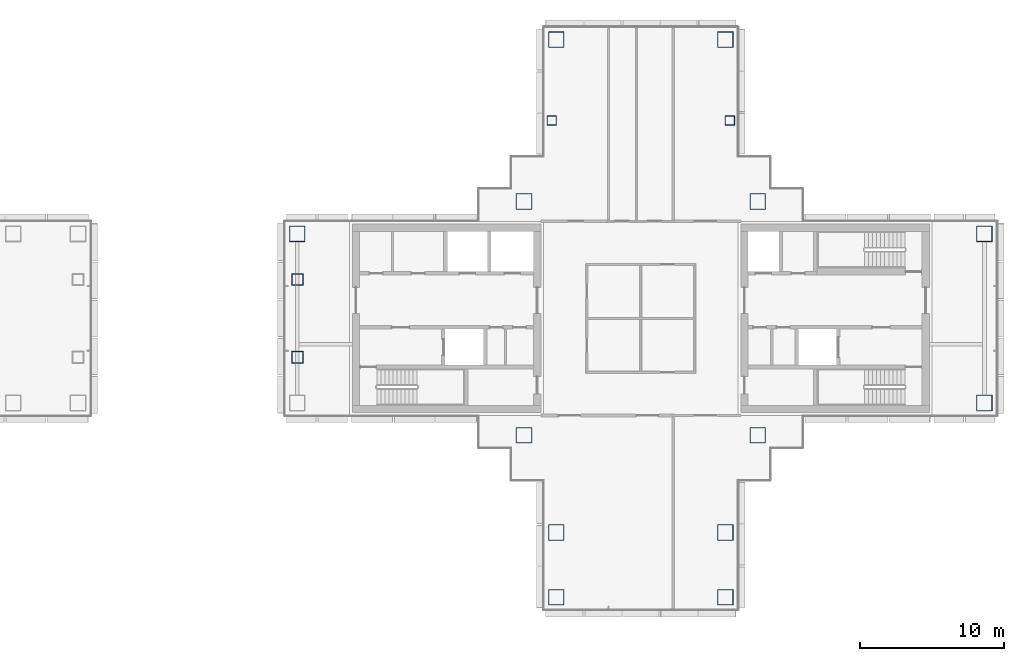
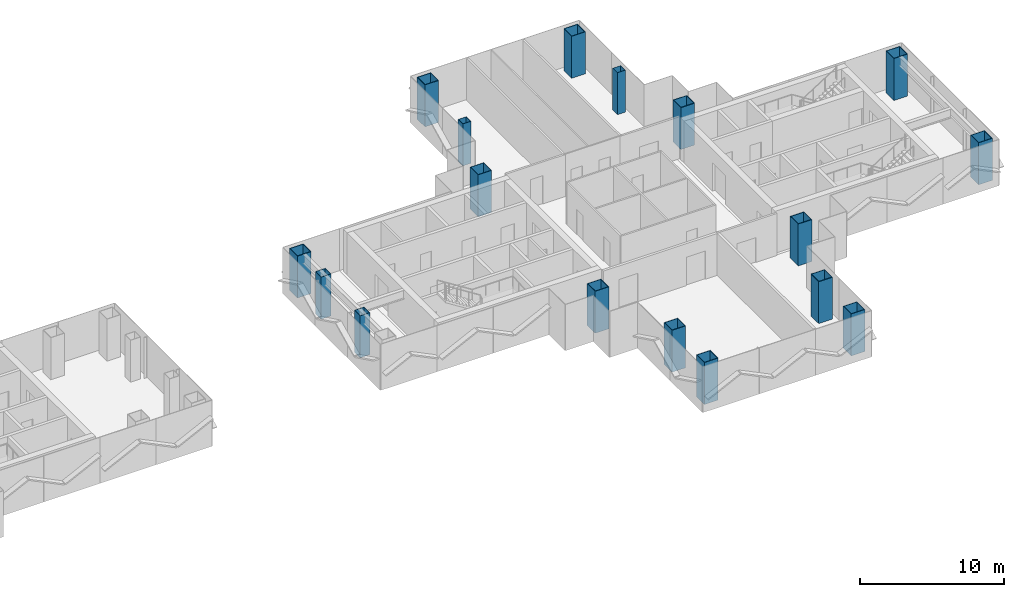
# One storey, part 2 of 16: 17 columns.
"""IFC4 building model written with IfcOpenShell, lengths in metres."""

from ifc_helpers import new_model, si_unit, direction, frame, origin, origin_2d, place, context, subcontext, project, spatial, hollow_rectangle, extrude, material, material_profile, profile_set, type_object, element, save


model = new_model("IFC4")

# Units and contexts
model_context = context("Model", 3, precision=1e-05, world=origin(), true_north=direction((0.0, 1.0)))
body_context = subcontext(model_context, "Body", "Model", "MODEL_VIEW")
ifc_project = project(units=[si_unit("LENGTHUNIT", "METRE"), si_unit("AREAUNIT", "SQUARE_METRE"), si_unit("VOLUMEUNIT", "CUBIC_METRE"), si_unit("PLANEANGLEUNIT", "RADIAN"), si_unit("MASSUNIT", "GRAM", prefix="KILO")], contexts=[model_context])

# Site, building, storey
site_placement = place(None, origin())
site = spatial("IfcSite", under=ifc_project, at=site_placement, CompositionType="ELEMENT")
building_placement = place(site_placement, origin())
building = spatial("IfcBuilding", under=site, at=building_placement, Name="Shamsa Quay Exchange Towers", CompositionType="ELEMENT")
storey_placement = place(building_placement, frame((0.0, 0.0, 146.699951171875)))
storey = spatial("IfcBuildingStorey", under=building, at=storey_placement, Name="L34", CompositionType="ELEMENT", Elevation=146.699951171875)

# Columns
ifc_material_1 = material(Name="Concrete-filled steel tube S355 / C80/95", Category="concrete")
ifc_material_profile_1 = material_profile(ifc_material_1, hollow_rectangle(XDim=1.10009765625, YDim=1.10009765625, WallThickness=0.0400390625, at=origin_2d()), Name="CFT 1100x1100x40")
ifc_profile_set_1 = profile_set([ifc_material_profile_1], Name="Concrete-filled steel tube S355 / C80/95")
column_type_1 = type_object("IfcColumnType", Name="Column CFT 1100x1100x40", PredefinedType="COLUMN", material=ifc_profile_set_1)
for number, where, name in (
    (1, (25.625, 8.125, 0.0), "Mega column T2-CM01"),
    (2, (41.875, 8.125, 0.0), "Mega column T2-CM02"),
    (3, (25.625, -8.125, 0.0), "Mega column T2-CM03"),
    (4, (41.875, -8.125, 0.0), "Mega column T2-CM04"),
    (5, (39.625, 19.375, 0.0), "Mega column T2-CM06"),
    (6, (27.875, 19.375, 0.0), "Mega column T2-CM10"),
    (7, (39.625, -14.875, 0.0), "Mega column T2-CM13"),
    (8, (39.625, -19.375, 0.0), "Mega column T2-CM14"),
    (9, (27.875, -14.875, 0.0), "Mega column T2-CM16"),
    (10, (27.875, -19.375, 0.0), "Mega column T2-CM17"),
    (11, (9.875, 5.875, 0.0), "Mega column T2-CM20"),
    (12, (57.625, -5.875, 0.0), "Mega column T2-CM21"),
    (13, (57.625, 5.875, 0.0), "Mega column T2-CM23"),
):
    element("IfcColumn", number, at=place(storey_placement, frame(where)), inside=storey, type_object=column_type_1, Name=name, PredefinedType="COLUMN", context=body_context, shape_type="SweptSolid", body=[
        extrude(hollow_rectangle(XDim=1.10009765625, YDim=1.10009765625, WallThickness=0.0400390625, at=origin_2d()), origin(), (0.0, 0.0, 1.0), 3.550048828125),
    ])
ifc_material_2 = material(Name="Concrete-filled steel tube S355 / C60/75", Category="concrete")
ifc_material_profile_2 = material_profile(ifc_material_2, hollow_rectangle(XDim=0.64990234375, YDim=0.64990234375, WallThickness=0.02001953125, at=origin_2d()), Name="CFT 650x650x20")
ifc_profile_set_2 = profile_set([ifc_material_profile_2], Name="Concrete-filled steel tube S355 / C60/75")
column_type_2 = type_object("IfcColumnType", Name="Column CFT 650x650x20", PredefinedType="COLUMN", material=ifc_profile_set_2)
for number, where, name in (
    (14, (39.9375, 13.75, 0.0), "Perimeter column T2-CP05"),
    (15, (27.5625, 13.75, 0.0), "Perimeter column T2-CP09"),
):
    element("IfcColumn", number, at=place(storey_placement, frame(where)), inside=storey, type_object=column_type_2, Name=name, PredefinedType="COLUMN", context=body_context, shape_type="SweptSolid", body=[
        extrude(hollow_rectangle(XDim=0.64990234375, YDim=0.64990234375, WallThickness=0.02001953125, at=origin_2d()), origin(), (0.0, 0.0, 1.0), 3.550048828125),
    ])
ifc_material_3 = material(Name="Concrete-filled steel tube S355 / C70/85", Category="concrete")
ifc_material_profile_3 = material_profile(ifc_material_3, hollow_rectangle(XDim=0.800048828125, YDim=0.800048828125, WallThickness=0.030029296875, at=origin_2d()), Name="CFT 800x800x30")
ifc_profile_set_3 = profile_set([ifc_material_profile_3], Name="Concrete-filled steel tube S355 / C70/85")
column_type_3 = type_object("IfcColumnType", Name="Landing column CFT 800x800x30", PredefinedType="COLUMN", material=ifc_profile_set_3)
for number, where, name in (
    (16, (9.875, -2.699951171875, 0.0), "Landing column T2 S"),
    (17, (9.875, 2.699951171875, 0.0), "Landing column T2 N"),
):
    element("IfcColumn", number, at=place(storey_placement, frame(where)), inside=storey, type_object=column_type_3, Name=name, PredefinedType="COLUMN", context=body_context, shape_type="SweptSolid", body=[
        extrude(hollow_rectangle(XDim=0.800048828125, YDim=0.800048828125, WallThickness=0.030029296875, at=origin_2d()), origin(), (0.0, 0.0, 1.0), 3.550048828125),
    ])

save(model, "model.ifc")
